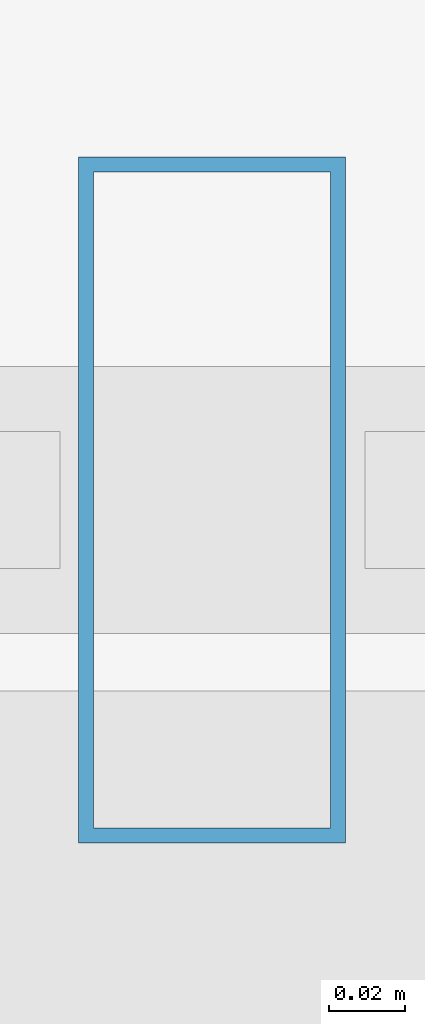
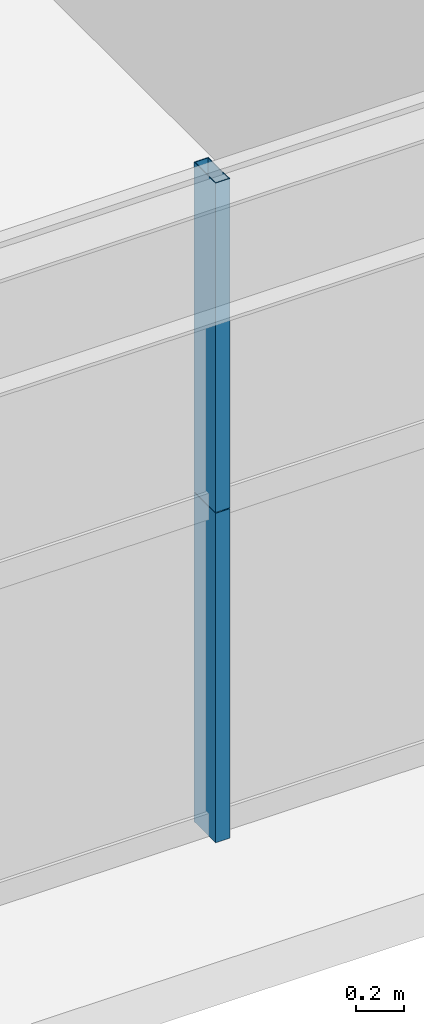
# One storey, part 5 of 43: 2 members, 1 element without a shape of its own.
"""IFC4 building model written with IfcOpenShell, lengths in metres."""

import ifcopenshell
import ifcopenshell.guid

model = None  # the IFC model being written
_history = None  # IfcOwnerHistory: only IFC2X3 demands one
_inside = {}  # id of a spatial element -> (the spatial element, [elements in it])
_under = {}  # id of a project, library or spatial element -> (it, [spatial elements below it])
_declared = {}  # id of a project -> (the project, [libraries it declares])
_typed = {}  # id of a type object -> (the type object, [elements of that type])
_made_of = {}  # id of a material, layer set ... -> (it, [elements and type objects made of it])


def new_model(schema):
    """Start an empty IFC model of exactly this schema.

    Asked for "IFC4X3", IfcOpenShell would pick the latest addendum, in which some entities
    have other attributes; the version numbers below select the first issue.
    IFC2X3 requires an IfcOwnerHistory on every rooted entity: one is made here for all.
    """
    global model, _history
    if schema == "IFC4X3":
        model = ifcopenshell.file(schema_version=(4, 3, 0, 0))
    else:
        model = ifcopenshell.file(schema=schema)
    _inside.clear()
    _under.clear()
    _declared.clear()
    _typed.clear()
    _made_of.clear()
    _history = None
    if model.schema == "IFC2X3":
        org = make("IfcOrganization", Name="unknown")
        user = make(
            "IfcPersonAndOrganization",
            ThePerson=make("IfcPerson", FamilyName="unknown"),
            TheOrganization=org,
        )
        app = make(
            "IfcApplication",
            ApplicationDeveloper=org,
            Version="unknown",
            ApplicationFullName="unknown",
            ApplicationIdentifier="unknown",
        )
        _history = make(
            "IfcOwnerHistory",
            OwningUser=user,
            OwningApplication=app,
            ChangeAction="ADDED",
            CreationDate=0,
        )
    return model


def make(cls, **values):
    """One entity of the class cls with the attributes given. An attribute that is None is left unset."""
    return model.create_entity(
        cls, **{name: value for name, value in values.items() if value is not None}
    )


def rooted(cls, **values):
    """An entity with a GlobalId (a new one), such as an element, a storey or a relation."""
    return make(cls, GlobalId=ifcopenshell.guid.new(), OwnerHistory=_history, **values)


def si_unit(unit_type, name, prefix=None):
    """IfcSIUnit, for example si_unit("LENGTHUNIT", "METRE", prefix="MILLI")."""
    return make("IfcSIUnit", UnitType=unit_type, Prefix=prefix, Name=name)


def assignment(units):
    """IfcUnitAssignment: the units of a project."""
    return None if units is None else make("IfcUnitAssignment", Units=units)


def point(xyz):
    """IfcCartesianPoint."""
    return None if xyz is None else make("IfcCartesianPoint", Coordinates=xyz)


def direction(xyz):
    """IfcDirection."""
    return None if xyz is None else make("IfcDirection", DirectionRatios=xyz)


def frame(location, z_axis=None, x_axis=None):
    """IfcAxis2Placement3D, a coordinate frame: its origin and axes. An axis left out is left unset."""
    return make(
        "IfcAxis2Placement3D",
        Location=point(location),
        Axis=direction(z_axis),
        RefDirection=direction(x_axis),
    )


def frame_2d(location, x_axis=None):
    """IfcAxis2Placement2D, a coordinate frame in the plane: its origin and x axis."""
    return make(
        "IfcAxis2Placement2D", Location=point(location), RefDirection=direction(x_axis)
    )


def origin():
    """The frame at (0, 0, 0) with its axes left unset."""
    return frame((0.0, 0.0, 0.0))


def origin_2d():
    """The frame at (0, 0) in the plane with its x axis left unset."""
    return frame_2d((0.0, 0.0))


def place(relative_to, where):
    """IfcLocalPlacement: puts the frame where relative to a parent placement (None: the world)."""
    return make(
        "IfcLocalPlacement", PlacementRelTo=relative_to, RelativePlacement=where
    )


def context(
    kind, dimensions, precision=None, world=None, true_north=None, identifier=None
):
    """IfcGeometricRepresentationContext, for example the 3D "Model" context."""
    return make(
        "IfcGeometricRepresentationContext",
        ContextIdentifier=identifier,
        ContextType=kind,
        CoordinateSpaceDimension=dimensions,
        Precision=precision,
        WorldCoordinateSystem=world,
        TrueNorth=true_north,
    )


def subcontext(parent, identifier, kind, view, scale=None):
    """IfcGeometricRepresentationSubContext, for example "Body" below "Model"."""
    return make(
        "IfcGeometricRepresentationSubContext",
        ContextIdentifier=identifier,
        ContextType=kind,
        ParentContext=parent,
        TargetScale=scale,
        TargetView=view,
    )


def project(units=None, contexts=None):
    """IfcProject with its units and contexts."""
    return rooted(
        "IfcProject",
        Name="project",
        RepresentationContexts=contexts,
        UnitsInContext=assignment(units),
    )


def spatial(cls, under=None, at=None, **own):
    """A site, building, storey or space (cls), placed at a placement, below another one or the project."""
    s = rooted(cls, ObjectPlacement=at, **own)
    if under is not None:
        _under.setdefault(under.id(), (under, []))[1].append(s)
    return s


def profile(cls, at=None, kind="AREA", **sizes):
    """A parametric profile (cls). Its sizes go by their IFC names, for example OverallWidth=200.0."""
    return make(cls, ProfileType=kind, Position=at, **sizes)


def hollow_rectangle(**sizes):
    """IfcRectangleHollowProfileDef."""
    return profile("IfcRectangleHollowProfileDef", **sizes)


def extrude(swept, where, along, depth):
    """IfcExtrudedAreaSolid: the profile swept, set in the frame where, extruded along a direction by depth."""
    return make(
        "IfcExtrudedAreaSolid",
        SweptArea=swept,
        Position=where,
        ExtrudedDirection=direction(along),
        Depth=depth,
    )


def shape(context_of_items, identifier, shape_type, items):
    """IfcShapeRepresentation: the items that make up one representation, for example the "Body"."""
    return make(
        "IfcShapeRepresentation",
        ContextOfItems=context_of_items,
        RepresentationIdentifier=identifier,
        RepresentationType=shape_type,
        Items=items,
    )


def source(mapping_origin, context_of_items, identifier, shape_type, items):
    """IfcRepresentationMap: a shape defined once, which mapped items show again and again."""
    return make(
        "IfcRepresentationMap",
        MappingOrigin=mapping_origin,
        MappedRepresentation=shape(context_of_items, identifier, shape_type, items),
    )


def transform(
    local_origin,
    x_axis=None,
    y_axis=None,
    z_axis=None,
    scale=None,
    scale2=None,
    scale3=None,
    uniform=True,
):
    """IfcCartesianTransformationOperator3D, or its non-uniform kind. x_axis, y_axis, z_axis: its Axis1, 2, 3."""
    if uniform:
        return make(
            "IfcCartesianTransformationOperator3D",
            Axis1=direction(x_axis),
            Axis2=direction(y_axis),
            LocalOrigin=point(local_origin),
            Scale=scale,
            Axis3=direction(z_axis),
        )
    return make(
        "IfcCartesianTransformationOperator3DnonUniform",
        Axis1=direction(x_axis),
        Axis2=direction(y_axis),
        LocalOrigin=point(local_origin),
        Scale=scale,
        Axis3=direction(z_axis),
        Scale2=scale2,
        Scale3=scale3,
    )


def mapped(mapping_source, mapping_target):
    """IfcMappedItem: shows the shape of a source again, moved by a transform."""
    return make(
        "IfcMappedItem", MappingSource=mapping_source, MappingTarget=mapping_target
    )


def material(Name=None, Category=None):
    """IfcMaterial."""
    return make("IfcMaterial", Name=Name, Category=Category)


def layer(
    of_material, thickness, ventilated=None, Name=None, Category=None, Priority=None
):
    """IfcMaterialLayer: one layer of a wall or slab, of a material (None: an air gap)."""
    return make(
        "IfcMaterialLayer",
        Material=of_material,
        LayerThickness=thickness,
        IsVentilated=ventilated,
        Name=Name,
        Category=Category,
        Priority=Priority,
    )


def layer_set(layers, Name=None):
    """IfcMaterialLayerSet."""
    return make("IfcMaterialLayerSet", MaterialLayers=layers, LayerSetName=Name)


def material_profile(
    of_material, cross_section, Name=None, Category=None, Priority=None
):
    """IfcMaterialProfile: a cross section and its material."""
    return make(
        "IfcMaterialProfile",
        Name=Name,
        Material=of_material,
        Profile=cross_section,
        Priority=Priority,
        Category=Category,
    )


def profile_set(profiles, Name=None, composite=None):
    """IfcMaterialProfileSet."""
    return make(
        "IfcMaterialProfileSet",
        Name=Name,
        MaterialProfiles=profiles,
        CompositeProfile=composite,
    )


def made_of(thing, what):
    """Note that an element or type object is made of a material, layer set ...; save() writes the relation."""
    if what is not None:
        _made_of.setdefault(what.id(), (what, []))[1].append(thing)
    return thing


def type_object(cls, material=None, **own):
    """A type object (cls), such as IfcWallType, which elements share."""
    return made_of(rooted(cls, **own), material)


def element(
    cls,
    number,
    at=None,
    inside=None,
    cuts=None,
    type_object=None,
    material=None,
    context=None,
    identifier="Body",
    shape_type=None,
    held_by="IfcProductDefinitionShape",
    body=None,
    shapes=None,
    **own,
):
    """One element of the class cls, such as IfcWall. Its Tag is "e" and its number.

    at: its placement. inside: the storey or other place that contains it. cuts: it is an
    opening in that element (IfcRelVoidsElement). A single representation is given by context,
    identifier, shape_type and body (its items); several are given by shapes. held_by: the class
    of the entity that holds the representations. save() writes the other relations.
    """
    e = rooted(cls, Tag="e%d" % number, ObjectPlacement=at, **own)
    if body is not None:
        shapes = [shape(context, identifier, shape_type, body)]
    if shapes is not None:
        e.Representation = make(held_by, Representations=shapes)
    if inside is not None:
        _inside.setdefault(inside.id(), (inside, []))[1].append(e)
    if cuts is not None:
        rooted(
            "IfcRelVoidsElement", RelatingBuildingElement=cuts, RelatedOpeningElement=e
        )
    if type_object is not None:
        _typed.setdefault(type_object.id(), (type_object, []))[1].append(e)
    return made_of(e, material)


def aggregate(whole, parts):
    """IfcRelAggregates: a whole, such as a stair, and the parts it consists of."""
    return rooted("IfcRelAggregates", RelatingObject=whole, RelatedObjects=parts)


def save(model, path):
    """Write the relations noted so far, then the file.

    IfcRelAggregates (storeys below a building ...), IfcRelContainedInSpatialStructure (elements
    in a storey), IfcRelDefinesByType, IfcRelAssociatesMaterial and IfcRelDeclares: one each for
    every whole, place, type object, material and project.
    """
    for whole, parts in _under.values():
        aggregate(whole, parts)
    for where, things in _inside.values():
        rooted(
            "IfcRelContainedInSpatialStructure",
            RelatedElements=things,
            RelatingStructure=where,
        )
    for kind, things in _typed.values():
        rooted("IfcRelDefinesByType", RelatedObjects=things, RelatingType=kind)
    for what, things in _made_of.values():
        rooted("IfcRelAssociatesMaterial", RelatedObjects=things, RelatingMaterial=what)
    for by, libraries in _declared.values():
        rooted("IfcRelDeclares", RelatingContext=by, RelatedDefinitions=libraries)
    model.write(path)


model = new_model("IFC4")

# Units and contexts
model_context = context("Model", 3, precision=1e-05, world=origin(), true_north=direction((0.0, 1.0)))
body_context = subcontext(model_context, "Body", "Model", "MODEL_VIEW")
ifc_project = project(units=[si_unit("LENGTHUNIT", "METRE"), si_unit("AREAUNIT", "SQUARE_METRE"), si_unit("VOLUMEUNIT", "CUBIC_METRE"), si_unit("PLANEANGLEUNIT", "RADIAN"), si_unit("MASSUNIT", "GRAM", prefix="KILO"), si_unit("THERMODYNAMICTEMPERATUREUNIT", "KELVIN"), si_unit("POWERUNIT", "WATT")], contexts=[model_context])

# Site, building, storey
site_placement = place(None, origin())
site = spatial("IfcSite", under=ifc_project, at=site_placement, CompositionType="ELEMENT")
building_placement = place(site_placement, origin())
building = spatial("IfcBuilding", under=site, at=building_placement, Name="Yuzanri Waterfront Tower", CompositionType="ELEMENT")
storey_placement = place(building_placement, frame((0.0, 0.0, 60.39990234375)))
storey = spatial("IfcBuildingStorey", under=building, at=storey_placement, Name="L15", CompositionType="ELEMENT", Elevation=60.39990234375)

# Curtain wall, members
ifc_material_1 = material(Name="Anodized Architectural Bronze", Category="metal")
ifc_layer = layer(ifc_material_1, 0.159912109375)
ifc_layer_set = layer_set([ifc_layer], Name="Anodized Architectural Bronze")
curtain_wall_type = type_object("IfcCurtainWallType", Name="Anodized Bronze Hotel Lower-Tier Recessed Unitized Curtain Wall 8100", PredefinedType="NOTDEFINED", material=ifc_layer_set)
curtain_wall_placement = place(storey_placement, origin())
curtain_wall = element("IfcCurtainWall", 1, at=curtain_wall_placement, inside=storey, type_object=curtain_wall_type, Name="L15 Curtain Wall CW-L15-SL", PredefinedType="NOTDEFINED")
ifc_material_2 = material(Name="Anodized Architectural Bronze", Category="metal")
ifc_material_profile = material_profile(ifc_material_2, hollow_rectangle(XDim=0.070068359375, YDim=0.179931640625, WallThickness=0.00390625, at=origin_2d()), Name="CWM 70x180")
ifc_profile_set = profile_set([ifc_material_profile], Name="Anodized Architectural Bronze")
member_type = type_object("IfcMemberType", Name="Anodized Bronze Standard Curtain-Wall Mullion 70x180", PredefinedType="MULLION", material=ifc_profile_set)
shared_shape = source(origin(), body_context, "Body", "SweptSolid", [
    extrude(hollow_rectangle(XDim=0.070068359375, YDim=0.179931640625, WallThickness=0.00390625, at=origin_2d()), origin(), (0.0, 0.0, 1.0), 1.68798828125),
])
member_1_placement = place(storey_placement, frame((27.89990234375, 0.85009765625, 0.0), z_axis=(0.0, 0.0, 1.0), x_axis=(1.0, 0.0, 0.0)))
member_1 = element("IfcMember", 2, at=member_1_placement, type_object=member_type, Name="CW-L15-SL Lower Mullion 01", PredefinedType="MULLION", context=body_context, shape_type="MappedRepresentation", body=[
    mapped(shared_shape, transform((0.0, 0.0, 0.0), scale=1.0)),
])
member_2_placement = place(storey_placement, frame((27.89990234375, 0.85009765625, 1.692138671875), z_axis=(0.0, 0.0, 1.0), x_axis=(1.0, 0.0, 0.0)))
member_2 = element("IfcMember", 3, at=member_2_placement, type_object=member_type, Name="CW-L15-SL Upper Mullion 01", PredefinedType="MULLION", context=body_context, shape_type="MappedRepresentation", body=[
    mapped(shared_shape, transform((0.0, 0.0, 0.0), scale=1.0)),
])
aggregate(curtain_wall, [member_1, member_2])

save(model, "model.ifc")
